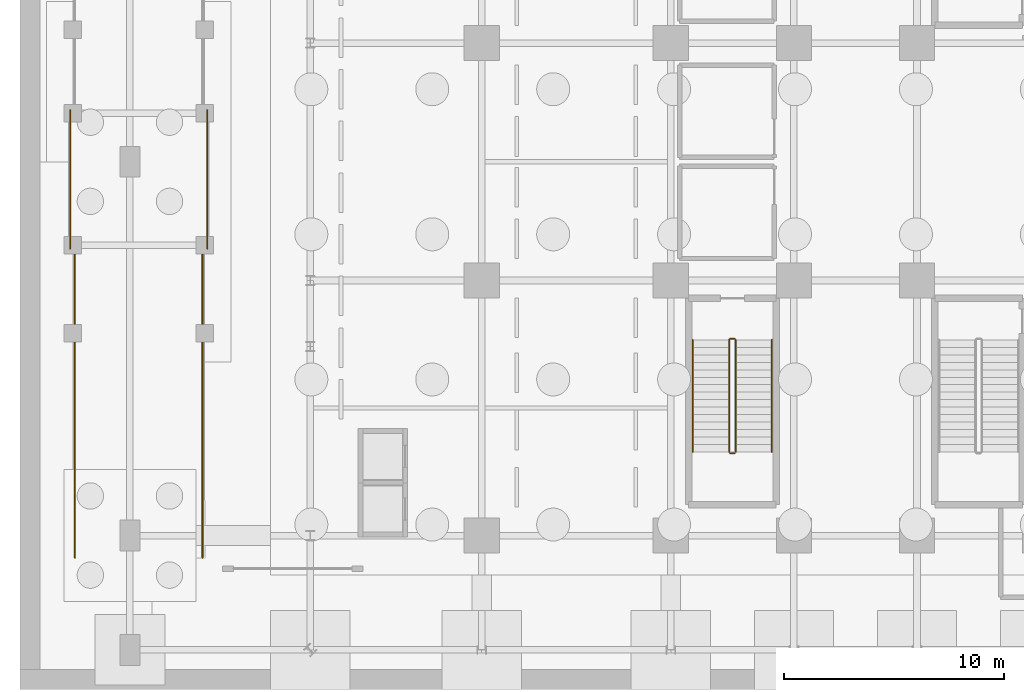
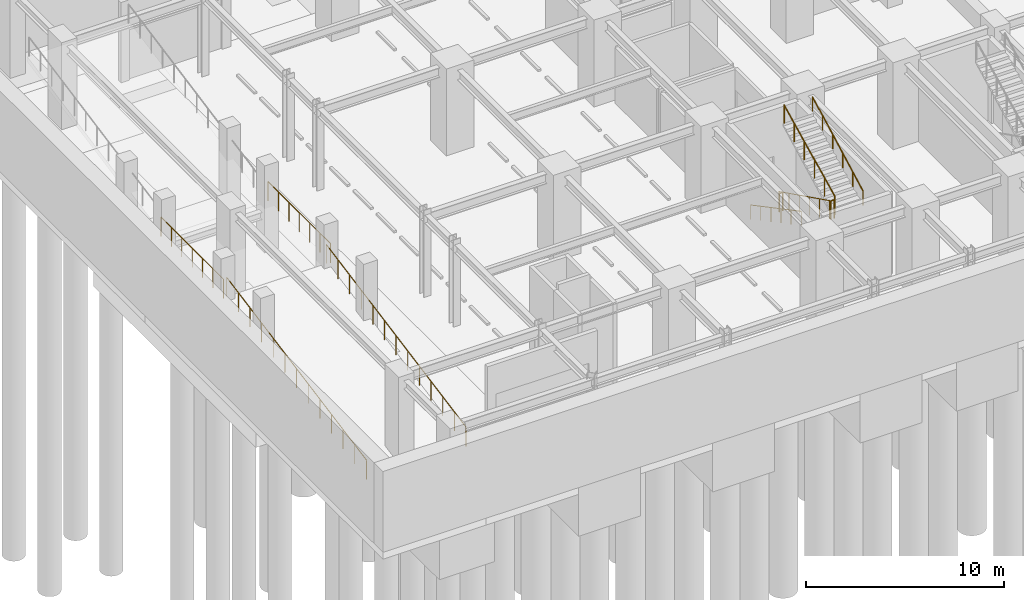
# One storey, part 10 of 14: 10 railings.
"""IFC4 building model written with IfcOpenShell, lengths in metres."""

from ifc_helpers import new_model, si_unit, direction, frame, origin, origin_2d, place, context, subcontext, project, spatial, circle, extrude, material, type_object, element, save


model = new_model("IFC4")

# Units and contexts
model_context = context("Model", 3, precision=1e-05, world=origin(), true_north=direction((0.0, 1.0)))
body_context = subcontext(model_context, "Body", "Model", "MODEL_VIEW")
ifc_project = project(units=[si_unit("LENGTHUNIT", "METRE"), si_unit("AREAUNIT", "SQUARE_METRE"), si_unit("VOLUMEUNIT", "CUBIC_METRE"), si_unit("PLANEANGLEUNIT", "RADIAN"), si_unit("MASSUNIT", "GRAM", prefix="KILO")], contexts=[model_context])

# Site, building, storey
site_placement = place(None, origin())
site = spatial("IfcSite", under=ifc_project, at=site_placement, CompositionType="ELEMENT")
building_placement = place(site_placement, origin())
building = spatial("IfcBuilding", under=site, at=building_placement, Name="Nahalor Promenade Grand Hotel", CompositionType="ELEMENT")
storey_placement = place(building_placement, frame((0.0, 0.0, -10.800048828125)))
storey = spatial("IfcBuildingStorey", under=building, at=storey_placement, Name="B02", CompositionType="ELEMENT", Elevation=-10.800048828125)

# Railings
ifc_material = material(Name="Steel S355JR", Category="steel")
railing_type_1 = type_object("IfcRailingType", Name="Steel Ramp Guardrail 1200 mm", PredefinedType="GUARDRAIL", material=ifc_material)
railing_1_placement = place(storey_placement, frame((-35.5, -18.0, 0.0)))
element("IfcRailing", 1, at=railing_1_placement, inside=storey, type_object=railing_type_1, Name="RL-RAMP-B02-1W", PredefinedType="GUARDRAIL", context=body_context, shape_type="SweptSolid", body=[
    extrude(circle(Radius=0.024048, at=origin_2d()), frame((0.0, 0.0, 1.17578125), z_axis=(0.0, 0.98215606074, 0.188067733416), x_axis=(-1.0, 0.0, 0.0)), (0.0, 0.0, 1.0), 14.356201171875),
    extrude(circle(Radius=0.020996, at=origin_2d()), origin(), (0.0, 0.0, 1.0), 1.14990234375),
    extrude(circle(Radius=0.020996, at=origin_2d()), frame((0.0, 1.175048828125, 0.22509765625)), (0.0, 0.0, 1.0), 1.14990234375),
    extrude(circle(Radius=0.020996, at=origin_2d()), frame((0.0, 2.35009765625, 0.449951171875)), (0.0, 0.0, 1.0), 1.14990234375),
    extrude(circle(Radius=0.020996, at=origin_2d()), frame((0.0, 3.52490234375, 0.675048828125)), (0.0, 0.0, 1.0), 1.14990234375),
    extrude(circle(Radius=0.020996, at=origin_2d()), frame((0.0, 4.699951171875, 0.89990234375)), (0.0, 0.0, 1.0), 1.14990234375),
    extrude(circle(Radius=0.020996, at=origin_2d()), frame((0.0, 5.875, 1.125)), (0.0, 0.0, 1.0), 1.14990234375),
    extrude(circle(Radius=0.020996, at=origin_2d()), frame((0.0, 7.050048828125, 1.35009765625)), (0.0, 0.0, 1.0), 1.14990234375),
    extrude(circle(Radius=0.020996, at=origin_2d()), frame((0.0, 8.22509765625, 1.574951171875)), (0.0, 0.0, 1.0), 1.14990234375),
    extrude(circle(Radius=0.020996, at=origin_2d()), frame((0.0, 9.400146484375, 1.800048828125)), (0.0, 0.0, 1.0), 1.14990234375),
    extrude(circle(Radius=0.020996, at=origin_2d()), frame((0.0, 10.5751953125, 2.02490234375)), (0.0, 0.0, 1.0), 1.14990234375),
    extrude(circle(Radius=0.020996, at=origin_2d()), frame((0.0, 11.75, 2.25)), (0.0, 0.0, 1.0), 1.14990234375),
    extrude(circle(Radius=0.020996, at=origin_2d()), frame((0.0, 12.925048828125, 2.474853515625)), (0.0, 0.0, 1.0), 1.14990234375),
    extrude(circle(Radius=0.020996, at=origin_2d()), frame((0.0, 14.10009765625, 2.699951171875)), (0.0, 0.0, 1.0), 1.14990234375),
])
railing_2_placement = place(storey_placement, frame((-29.699951171875, -18.0, 0.0)))
element("IfcRailing", 2, at=railing_2_placement, inside=storey, type_object=railing_type_1, Name="RL-RAMP-B02-1E", PredefinedType="GUARDRAIL", context=body_context, shape_type="SweptSolid", body=[
    extrude(circle(Radius=0.024048, at=origin_2d()), frame((0.0, 0.0, 1.17578125), z_axis=(0.0, 0.98215606074, 0.188067733416), x_axis=(-1.0, 0.0, 0.0)), (0.0, 0.0, 1.0), 14.356201171875),
    extrude(circle(Radius=0.020996, at=origin_2d()), origin(), (0.0, 0.0, 1.0), 1.14990234375),
    extrude(circle(Radius=0.020996, at=origin_2d()), frame((0.0, 1.175048828125, 0.22509765625)), (0.0, 0.0, 1.0), 1.14990234375),
    extrude(circle(Radius=0.020996, at=origin_2d()), frame((0.0, 2.35009765625, 0.449951171875)), (0.0, 0.0, 1.0), 1.14990234375),
    extrude(circle(Radius=0.020996, at=origin_2d()), frame((0.0, 3.52490234375, 0.675048828125)), (0.0, 0.0, 1.0), 1.14990234375),
    extrude(circle(Radius=0.020996, at=origin_2d()), frame((0.0, 4.699951171875, 0.89990234375)), (0.0, 0.0, 1.0), 1.14990234375),
    extrude(circle(Radius=0.020996, at=origin_2d()), frame((0.0, 5.875, 1.125)), (0.0, 0.0, 1.0), 1.14990234375),
    extrude(circle(Radius=0.020996, at=origin_2d()), frame((0.0, 7.050048828125, 1.35009765625)), (0.0, 0.0, 1.0), 1.14990234375),
    extrude(circle(Radius=0.020996, at=origin_2d()), frame((0.0, 8.22509765625, 1.574951171875)), (0.0, 0.0, 1.0), 1.14990234375),
    extrude(circle(Radius=0.020996, at=origin_2d()), frame((0.0, 9.400146484375, 1.800048828125)), (0.0, 0.0, 1.0), 1.14990234375),
    extrude(circle(Radius=0.020996, at=origin_2d()), frame((0.0, 10.5751953125, 2.02490234375)), (0.0, 0.0, 1.0), 1.14990234375),
    extrude(circle(Radius=0.020996, at=origin_2d()), frame((0.0, 11.75, 2.25)), (0.0, 0.0, 1.0), 1.14990234375),
    extrude(circle(Radius=0.020996, at=origin_2d()), frame((0.0, 12.925048828125, 2.474853515625)), (0.0, 0.0, 1.0), 1.14990234375),
    extrude(circle(Radius=0.020996, at=origin_2d()), frame((0.0, 14.10009765625, 2.699951171875)), (0.0, 0.0, 1.0), 1.14990234375),
])
for number, where, name in (
    (3, (-35.719970703125, -3.949951171875, 2.699951171875), "RL-RAMP-B02-MW"),
    (4, (-29.47998046875, -3.949951171875, 2.699951171875), "RL-RAMP-B02-ME"),
):
    element("IfcRailing", number, at=place(storey_placement, frame(where)), inside=storey, type_object=railing_type_1, Name=name, PredefinedType="GUARDRAIL", context=body_context, shape_type="SweptSolid", body=[
        extrude(circle(Radius=0.024048, at=origin_2d()), frame((0.0, 0.0, 1.17578125), z_axis=(0.0, 1.0, 0.0), x_axis=(-1.0, 0.0, 0.0)), (0.0, 0.0, 1.0), 6.300048828125),
        extrude(circle(Radius=0.020996, at=origin_2d()), origin(), (0.0, 0.0, 1.0), 1.14990234375),
        extrude(circle(Radius=0.020996, at=origin_2d()), frame((0.0, 1.050048828125, 0.0)), (0.0, 0.0, 1.0), 1.14990234375),
        extrude(circle(Radius=0.020996, at=origin_2d()), frame((0.0, 2.10009765625, 0.0)), (0.0, 0.0, 1.0), 1.14990234375),
        extrude(circle(Radius=0.020996, at=origin_2d()), frame((0.0, 3.14990234375, 0.0)), (0.0, 0.0, 1.0), 1.14990234375),
        extrude(circle(Radius=0.020996, at=origin_2d()), frame((0.0, 4.199951171875, 0.0)), (0.0, 0.0, 1.0), 1.14990234375),
        extrude(circle(Radius=0.020996, at=origin_2d()), frame((0.0, 5.25, 0.0)), (0.0, 0.0, 1.0), 1.14990234375),
        extrude(circle(Radius=0.020996, at=origin_2d()), frame((0.0, 6.300048828125, 0.0)), (0.0, 0.0, 1.0), 1.14990234375),
    ])
railing_type_2 = type_object("IfcRailingType", Name="Steel Stair Guardrail 1150 mm", PredefinedType="GUARDRAIL", material=ifc_material)
railing_3_placement = place(storey_placement, frame((-5.75, -8.10009765625, 0.168701171875)))
element("IfcRailing", 5, at=railing_3_placement, inside=storey, type_object=railing_type_2, Name="B02 ST3 stair guard 1", PredefinedType="GUARDRAIL", context=body_context, shape_type="SweptSolid", body=[
    extrude(circle(Radius=0.024048, at=origin_2d()), frame((0.0, 0.0, 1.1259765625), z_axis=(0.0, -0.895735491292, 0.444587370086), x_axis=(1.0, 0.0, 0.0)), (0.0, 0.0, 1.0), 5.693603515625),
    extrude(circle(Radius=0.020996, at=origin_2d()), origin(), (0.0, 0.0, 1.0), 1.099853515625),
    extrude(circle(Radius=0.020996, at=origin_2d()), frame((0.0, -1.02001953125, 0.50634765625)), (0.0, 0.0, 1.0), 1.099853515625),
    extrude(circle(Radius=0.020996, at=origin_2d()), frame((0.0, -2.0400390625, 1.012451171875)), (0.0, 0.0, 1.0), 1.099853515625),
    extrude(circle(Radius=0.020996, at=origin_2d()), frame((0.0, -3.059814453125, 1.518798828125)), (0.0, 0.0, 1.0), 1.099853515625),
    extrude(circle(Radius=0.020996, at=origin_2d()), frame((0.0, -4.079833984375, 2.02490234375)), (0.0, 0.0, 1.0), 1.099853515625),
    extrude(circle(Radius=0.020996, at=origin_2d()), frame((0.0, -5.099853515625, 2.53125)), (0.0, 0.0, 1.0), 1.099853515625),
])
railing_4_placement = place(storey_placement, frame((-5.699951171875, -13.25, 2.699951171875)))
element("IfcRailing", 6, at=railing_4_placement, inside=storey, type_object=railing_type_2, Name="B02 ST3 stair guard 2", PredefinedType="GUARDRAIL", context=body_context, shape_type="SweptSolid", body=[
    extrude(circle(Radius=0.024048, at=origin_2d()), frame((0.0, 0.0, 1.1259765625), z_axis=(1.0, 0.0, 0.0), x_axis=(0.0, 1.0, 0.0)), (0.0, 0.0, 1.0), 0.199951171875),
    extrude(circle(Radius=0.020996, at=origin_2d()), origin(), (0.0, 0.0, 1.0), 1.099853515625),
    extrude(circle(Radius=0.020996, at=origin_2d()), frame((0.199951171875, 0.0, 0.0)), (0.0, 0.0, 1.0), 1.099853515625),
])
railing_5_placement = place(storey_placement, frame((-5.449951171875, -13.199951171875, 2.868896484375)))
element("IfcRailing", 7, at=railing_5_placement, inside=storey, type_object=railing_type_2, Name="B02 ST3 stair guard 3", PredefinedType="GUARDRAIL", context=body_context, shape_type="SweptSolid", body=[
    extrude(circle(Radius=0.024048, at=origin_2d()), frame((0.0, 0.0, 1.1259765625), z_axis=(0.0, 0.895735491292, 0.444587370086), x_axis=(-1.0, 0.0, 0.0)), (0.0, 0.0, 1.0), 5.693603515625),
    extrude(circle(Radius=0.020996, at=origin_2d()), origin(), (0.0, 0.0, 1.0), 1.099853515625),
    extrude(circle(Radius=0.020996, at=origin_2d()), frame((0.0, 1.02001953125, 0.50634765625)), (0.0, 0.0, 1.0), 1.099853515625),
    extrude(circle(Radius=0.020996, at=origin_2d()), frame((0.0, 2.0400390625, 1.012451171875)), (0.0, 0.0, 1.0), 1.099853515625),
    extrude(circle(Radius=0.020996, at=origin_2d()), frame((0.0, 3.059814453125, 1.518798828125)), (0.0, 0.0, 1.0), 1.099853515625),
    extrude(circle(Radius=0.020996, at=origin_2d()), frame((0.0, 4.079833984375, 2.02490234375)), (0.0, 0.0, 1.0), 1.099853515625),
    extrude(circle(Radius=0.020996, at=origin_2d()), frame((0.0, 5.099853515625, 2.53125)), (0.0, 0.0, 1.0), 1.099853515625),
])
railing_6_placement = place(storey_placement, frame((-5.699951171875, -8.050048828125, 0.0)))
element("IfcRailing", 8, at=railing_6_placement, inside=storey, type_object=railing_type_2, Name="B02 ST3 stair guard 4", PredefinedType="GUARDRAIL", context=body_context, shape_type="SweptSolid", body=[
    extrude(circle(Radius=0.024048, at=origin_2d()), frame((0.0, 0.0, 1.1259765625), z_axis=(1.0, 0.0, 0.0), x_axis=(0.0, 1.0, 0.0)), (0.0, 0.0, 1.0), 0.199951171875),
    extrude(circle(Radius=0.020996, at=origin_2d()), origin(), (0.0, 0.0, 1.0), 1.099853515625),
    extrude(circle(Radius=0.020996, at=origin_2d()), frame((0.199951171875, 0.0, 0.0)), (0.0, 0.0, 1.0), 1.099853515625),
])
railing_type_3 = type_object("IfcRailingType", Name="Steel Stair Handrail 900 mm", PredefinedType="HANDRAIL", material=ifc_material)
railing_7_placement = place(storey_placement, frame((-7.39990234375, -8.10009765625, 0.168701171875)))
element("IfcRailing", 9, at=railing_7_placement, inside=storey, type_object=railing_type_3, Name="B02 ST3 stair handrail 1", PredefinedType="HANDRAIL", context=body_context, shape_type="SweptSolid", body=[
    extrude(circle(Radius=0.024048, at=origin_2d()), frame((0.0, 0.0, 0.8759765625), z_axis=(0.0, -0.883768362495, 0.467924653607), x_axis=(1.0, 0.0, 0.0)), (0.0, 0.0, 1.0), 5.7705078125),
    extrude(circle(Radius=0.020996, at=origin_2d()), origin(), (0.0, 0.0, 1.0), 0.849853515625),
    extrude(circle(Radius=0.020996, at=origin_2d()), frame((0.0, -1.02001953125, 0.5400390625)), (0.0, 0.0, 1.0), 0.849853515625),
    extrude(circle(Radius=0.020996, at=origin_2d()), frame((0.0, -2.0400390625, 1.080078125)), (0.0, 0.0, 1.0), 0.849853515625),
    extrude(circle(Radius=0.020996, at=origin_2d()), frame((0.0, -3.059814453125, 1.6201171875)), (0.0, 0.0, 1.0), 0.849853515625),
    extrude(circle(Radius=0.020996, at=origin_2d()), frame((0.0, -4.079833984375, 2.16015625)), (0.0, 0.0, 1.0), 0.849853515625),
    extrude(circle(Radius=0.020996, at=origin_2d()), frame((0.0, -5.099853515625, 2.7001953125)), (0.0, 0.0, 1.0), 0.849853515625),
])
railing_8_placement = place(storey_placement, frame((-3.800048828125, -13.199951171875, 2.868896484375)))
element("IfcRailing", 10, at=railing_8_placement, inside=storey, type_object=railing_type_3, Name="B02 ST3 stair handrail 2", PredefinedType="HANDRAIL", context=body_context, shape_type="SweptSolid", body=[
    extrude(circle(Radius=0.024048, at=origin_2d()), frame((0.0, 0.0, 0.8759765625), z_axis=(0.0, 0.883785858079, 0.467891608238), x_axis=(-1.0, 0.0, 0.0)), (0.0, 0.0, 1.0), 5.7705078125),
    extrude(circle(Radius=0.020996, at=origin_2d()), origin(), (0.0, 0.0, 1.0), 0.849853515625),
    extrude(circle(Radius=0.020996, at=origin_2d()), frame((0.0, 1.02001953125, 0.5400390625)), (0.0, 0.0, 1.0), 0.849853515625),
    extrude(circle(Radius=0.020996, at=origin_2d()), frame((0.0, 2.0400390625, 1.080078125)), (0.0, 0.0, 1.0), 0.849853515625),
    extrude(circle(Radius=0.020996, at=origin_2d()), frame((0.0, 3.059814453125, 1.619873046875)), (0.0, 0.0, 1.0), 0.849853515625),
    extrude(circle(Radius=0.020996, at=origin_2d()), frame((0.0, 4.079833984375, 2.159912109375)), (0.0, 0.0, 1.0), 0.849853515625),
    extrude(circle(Radius=0.020996, at=origin_2d()), frame((0.0, 5.099853515625, 2.699951171875)), (0.0, 0.0, 1.0), 0.849853515625),
])

save(model, "model.ifc")
